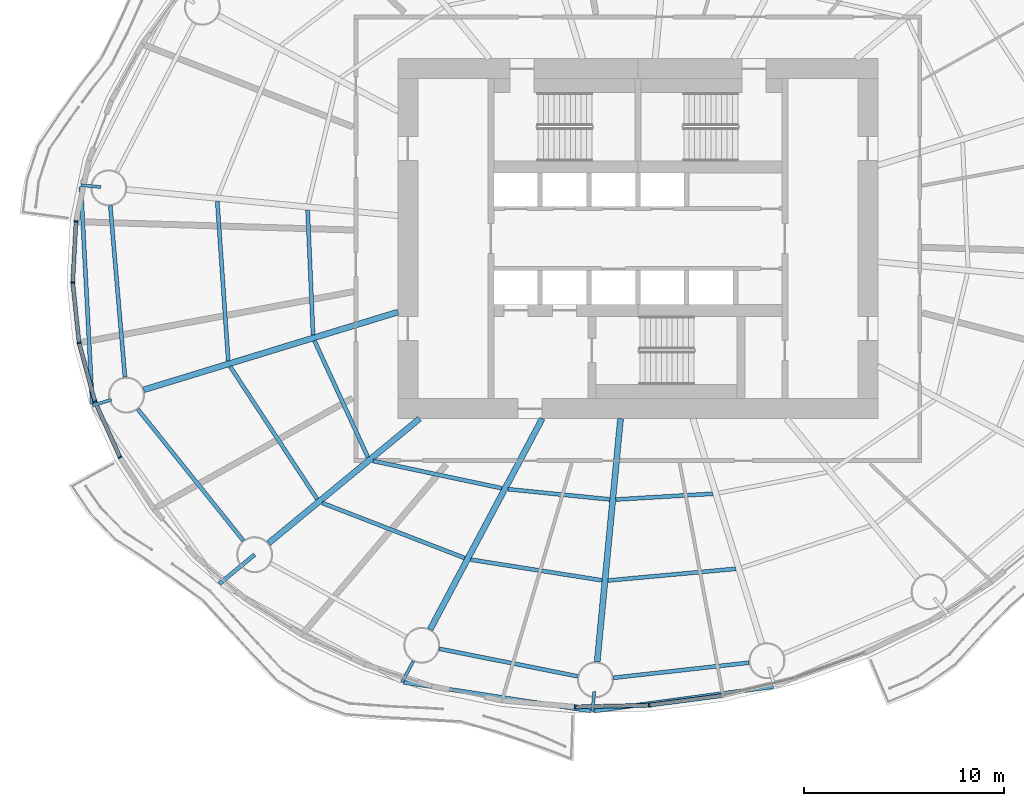
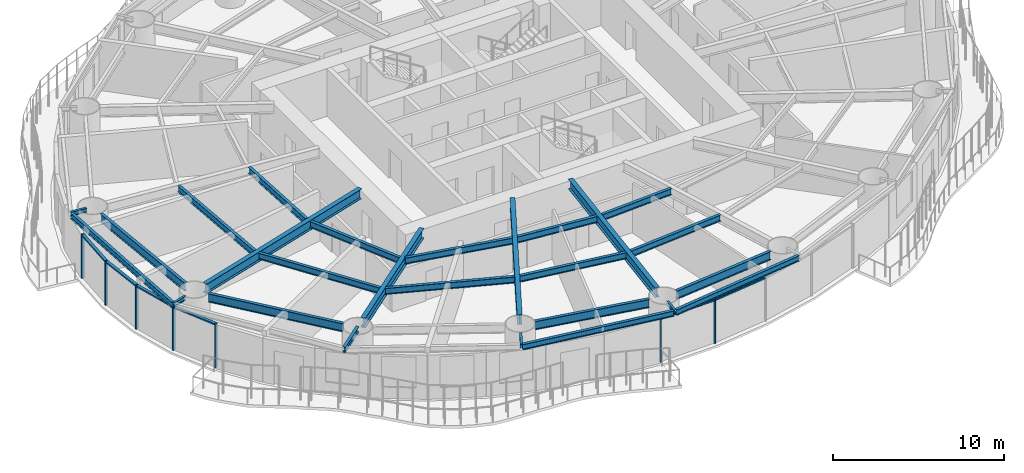
# One storey, part 2 of 17: 26 beams, 13 members, 6 elements without a shape of their own.
"""IFC4 building model written with IfcOpenShell, lengths in metres."""

from ifc_helpers import new_model, si_unit, direction, frame, origin, origin_2d, place, context, subcontext, project, spatial, rectangle, i_section, extrude, material, material_profile, profile_set, type_object, element, aggregate, save


model = new_model("IFC4")

# Units and contexts
model_context = context("Model", 3, precision=1e-05, world=origin(), true_north=direction((0.0, 1.0)))
body_context = subcontext(model_context, "Body", "Model", "MODEL_VIEW")
ifc_project = project(units=[si_unit("LENGTHUNIT", "METRE"), si_unit("AREAUNIT", "SQUARE_METRE"), si_unit("VOLUMEUNIT", "CUBIC_METRE"), si_unit("PLANEANGLEUNIT", "RADIAN"), si_unit("MASSUNIT", "GRAM", prefix="KILO")], contexts=[model_context])

# Site, building, storey
site_placement = place(None, origin())
site = spatial("IfcSite", under=ifc_project, at=site_placement, CompositionType="ELEMENT")
building_placement = place(site_placement, origin())
building = spatial("IfcBuilding", under=site, at=building_placement, Name="Vermilion Reach Broadcast Tower", CompositionType="ELEMENT")
storey_placement = place(building_placement, frame((0.0, 0.0, 76.699951171875)))
storey = spatial("IfcBuildingStorey", under=building, at=storey_placement, Name="L16", CompositionType="ELEMENT", Elevation=76.699951171875)

# Beams
ifc_material_1 = material(Name="Steel S355J2", Category="steel")
ifc_material_profile_1 = material_profile(ifc_material_1, i_section(OverallWidth=0.199951171875, OverallDepth=0.39990234375, WebThickness=0.008056640625, FlangeThickness=0.012939453125, at=origin_2d()), Name="S355J2 HN 400x200x8x13")
ifc_profile_set_1 = profile_set([ifc_material_profile_1], Name="Steel S355J2")
beam_type_1 = type_object("IfcBeamType", Name="EB1 HN 400x200x8x13", PredefinedType="BEAM", material=ifc_profile_set_1)
beam_1_placement = place(storey_placement, frame((-33.853515625, 2.601806640625, 3.35009765625), z_axis=(0.05221391195, -0.998635923347, 0.0), x_axis=(0.998635923347, 0.05221391195, 0.0)))
element("IfcBeam", 1, at=beam_1_placement, inside=storey, type_object=beam_type_1, Name="Edge beam EB1-08", PredefinedType="BEAM", context=body_context, shape_type="SweptSolid", body=[
    extrude(i_section(OverallWidth=0.199951171875, OverallDepth=0.39990234375, WebThickness=0.008056640625, FlangeThickness=0.012939453125, at=origin_2d()), origin(), (0.0, 0.0, 1.0), 10.88525390625),
])
beam_2_placement = place(storey_placement, frame((-17.708984375, -22.1904296875, 3.35009765625), z_axis=(0.988445180224, -0.151578777181, 0.0), x_axis=(0.151578777181, 0.988445180224, 0.0)))
element("IfcBeam", 2, at=beam_2_placement, inside=storey, type_object=beam_type_1, Name="Edge beam EB1-11", PredefinedType="BEAM", context=body_context, shape_type="SweptSolid", body=[
    extrude(i_section(OverallWidth=0.199951171875, OverallDepth=0.39990234375, WebThickness=0.008056640625, FlangeThickness=0.012939453125, at=origin_2d()), origin(), (0.0, 0.0, 1.0), 9.47216796875),
])
beam_3_placement = place(storey_placement, frame((-8.195556640625, -23.627197265625, 3.35009765625), z_axis=(0.990840338484, 0.135038600531, 0.0), x_axis=(-0.135038600531, 0.990840338484, 0.0)))
element("IfcBeam", 3, at=beam_3_placement, inside=storey, type_object=beam_type_1, Name="Edge beam EB1-12", PredefinedType="BEAM", context=body_context, shape_type="SweptSolid", body=[
    extrude(i_section(OverallWidth=0.199951171875, OverallDepth=0.39990234375, WebThickness=0.008056640625, FlangeThickness=0.012939453125, at=origin_2d()), origin(), (0.0, 0.0, 1.0), 9.05419921875),
])
ifc_material_2 = material(Name="Steel S355J2", Category="steel")
ifc_material_profile_2 = material_profile(ifc_material_2, i_section(OverallWidth=0.300048828125, OverallDepth=0.699951171875, WebThickness=0.012939453125, FlangeThickness=0.02392578125, at=origin_2d()), Name="S355J2 HN 700x300x13x24")
ifc_profile_set_2 = profile_set([ifc_material_profile_2], Name="Steel S355J2")
beam_type_2 = type_object("IfcBeamType", Name="G1 HN 700x300x13x24", PredefinedType="BEAM", material=ifc_profile_set_2)
beam_4_placement = place(storey_placement, frame((-18.0, -3.671142578125, 3.199951171875), z_axis=(-0.956255735186, -0.292531996409, 0.0), x_axis=(0.292531996409, -0.956255735186, 0.0)))
element("IfcBeam", 4, at=beam_4_placement, inside=storey, type_object=beam_type_2, Name="Girder G1-09", PredefinedType="BEAM", context=body_context, shape_type="SweptSolid", body=[
    extrude(i_section(OverallWidth=0.300048828125, OverallDepth=0.699951171875, WebThickness=0.012939453125, FlangeThickness=0.02392578125, at=origin_2d()), origin(), (0.0, 0.0, 1.0), 13.29638671875),
])
beam_5_placement = place(storey_placement, frame((-16.9140625, -9.0, 3.199951171875), z_axis=(-0.771514256373, -0.636212034005, 0.0), x_axis=(0.636212034005, -0.771514256373, 0.0)))
element("IfcBeam", 5, at=beam_5_placement, inside=storey, type_object=beam_type_2, Name="Girder G1-10", PredefinedType="BEAM", context=body_context, shape_type="SweptSolid", body=[
    extrude(i_section(OverallWidth=0.300048828125, OverallDepth=0.699951171875, WebThickness=0.012939453125, FlangeThickness=0.02392578125, at=origin_2d()), origin(), (0.0, 0.0, 1.0), 9.796142578125),
])
beam_6_placement = place(storey_placement, frame((-10.783447265625, -9.0, 3.199951171875), z_axis=(-0.469312182262, -0.883032318537, 0.0), x_axis=(0.883032318537, -0.469312182262, 0.0)))
element("IfcBeam", 6, at=beam_6_placement, inside=storey, type_object=beam_type_2, Name="Girder G1-11", PredefinedType="BEAM", context=body_context, shape_type="SweptSolid", body=[
    extrude(i_section(OverallWidth=0.300048828125, OverallDepth=0.699951171875, WebThickness=0.012939453125, FlangeThickness=0.02392578125, at=origin_2d()), origin(), (0.0, 0.0, 1.0), 11.94091796875),
])
beam_7_placement = place(storey_placement, frame((-6.864990234375, -9.0, 3.199951171875), z_axis=(-0.09566673912, -0.995413419151, 0.0), x_axis=(0.995413419151, -0.09566673912, 0.0)))
element("IfcBeam", 7, at=beam_7_placement, inside=storey, type_object=beam_type_2, Name="Girder G1-12", PredefinedType="BEAM", context=body_context, shape_type="SweptSolid", body=[
    extrude(i_section(OverallWidth=0.300048828125, OverallDepth=0.699951171875, WebThickness=0.012939453125, FlangeThickness=0.02392578125, at=origin_2d()), origin(), (0.0, 0.0, 1.0), 12.22412109375),
])
ifc_material_3 = material(Name="Steel S355J2", Category="steel")
ifc_material_profile_3 = material_profile(ifc_material_3, i_section(OverallWidth=0.199951171875, OverallDepth=0.39990234375, WebThickness=0.008056640625, FlangeThickness=0.012939453125, at=origin_2d()), Name="S355J2 HN 400x200x8x13")
ifc_profile_set_3 = profile_set([ifc_material_profile_3], Name="Steel S355J2")
beam_type_3 = type_object("IfcBeamType", Name="GC1 HN 400x200x8x13", PredefinedType="BEAM", material=ifc_profile_set_3)
beam_8_placement = place(storey_placement, frame((-25.166259765625, -15.804931640625, 3.35009765625), z_axis=(-0.77147033335, -0.636265294324, 0.0), x_axis=(0.636265294324, -0.77147033335, 0.0)))
element("IfcBeam", 8, at=beam_8_placement, inside=storey, type_object=beam_type_3, Name="Cantilever girder GC1-10", PredefinedType="BEAM", context=body_context, shape_type="SweptSolid", body=[
    extrude(i_section(OverallWidth=0.199951171875, OverallDepth=0.39990234375, WebThickness=0.008056640625, FlangeThickness=0.012939453125, at=origin_2d()), origin(), (0.0, 0.0, 1.0), 2.2841796875),
])
ifc_material_4 = material(Name="Steel S355J2", Category="steel")
ifc_material_profile_4 = material_profile(ifc_material_4, i_section(OverallWidth=0.14990234375, OverallDepth=0.300048828125, WebThickness=0.006591796875, FlangeThickness=0.009033203125, at=origin_2d()), Name="S355J2 HN 300x150x6.5x9")
ifc_profile_set_4 = profile_set([ifc_material_profile_4], Name="Steel S355J2")
beam_type_4 = type_object("IfcBeamType", Name="GS1 HN 300x150x6.5x9", PredefinedType="BEAM", material=ifc_profile_set_4)
for number, where, z_axis, x_axis, name in (
    (9, (-32.862060546875, 2.581787109375, 3.400146484375), (-0.995409476419, 0.095707754417, 0.0), (-0.095707754417, -0.995409476419, 0.0), "Cantilever stub GS1-08"),
    (10, (-32.32470703125, -8.05322265625, 3.400146484375), (-0.956205533022, -0.292696051594, 0.0), (0.292696051594, -0.956205533022, 0.0), "Cantilever stub GS1-09"),
):
    element("IfcBeam", number, at=place(storey_placement, frame(where, z_axis=z_axis, x_axis=x_axis)), inside=storey, type_object=beam_type_4, Name=name, PredefinedType="BEAM", context=body_context, shape_type="SweptSolid", body=[
        extrude(i_section(OverallWidth=0.14990234375, OverallDepth=0.300048828125, WebThickness=0.006591796875, FlangeThickness=0.009033203125, at=origin_2d()), origin(), (0.0, 0.0, 1.0), 1.0),
    ])
beam_9_placement = place(storey_placement, frame((-17.232177734375, -21.1337890625, 3.400146484375), z_axis=(-0.469441856903, -0.882963387116, 0.0), x_axis=(0.882963387116, -0.469441856903, 0.0)))
element("IfcBeam", 11, at=beam_9_placement, inside=storey, type_object=beam_type_4, Name="Cantilever stub GS1-11", PredefinedType="BEAM", context=body_context, shape_type="SweptSolid", body=[
    extrude(i_section(OverallWidth=0.14990234375, OverallDepth=0.300048828125, WebThickness=0.006591796875, FlangeThickness=0.009033203125, at=origin_2d()), origin(), (0.0, 0.0, 1.0), 1.18310546875),
])
beam_10_placement = place(storey_placement, frame((-8.17626953125, -22.642333984375, 3.400146484375), z_axis=(-0.095707754417, -0.995409476419, 0.0), x_axis=(0.995409476419, -0.095707754417, 0.0)))
element("IfcBeam", 12, at=beam_10_placement, inside=storey, type_object=beam_type_4, Name="Cantilever stub GS1-12", PredefinedType="BEAM", context=body_context, shape_type="SweptSolid", body=[
    extrude(i_section(OverallWidth=0.14990234375, OverallDepth=0.300048828125, WebThickness=0.006591796875, FlangeThickness=0.009033203125, at=origin_2d()), origin(), (0.0, 0.0, 1.0), 1.0),
])
ifc_material_5 = material(Name="Steel S355J2", Category="steel")
ifc_material_profile_5 = material_profile(ifc_material_5, i_section(OverallWidth=0.199951171875, OverallDepth=0.60009765625, WebThickness=0.010986328125, FlangeThickness=0.01708984375, at=origin_2d()), Name="S355J2 HN 600x200x11x17")
ifc_profile_set_5 = profile_set([ifc_material_profile_5], Name="Steel S355J2")
beam_type_5 = type_object("IfcBeamType", Name="RB1 HN 600x200x11x17", PredefinedType="BEAM", material=ifc_profile_set_5)
beam_11_placement = place(storey_placement, frame((-32.38720703125, 1.646728515625, 3.25), z_axis=(0.085395508608, -0.996347131832, 0.0), x_axis=(0.996347131832, 0.085395508608, 0.0)))
element("IfcBeam", 13, at=beam_11_placement, inside=storey, type_object=beam_type_5, Name="Ring beam RB1-08", PredefinedType="BEAM", context=body_context, shape_type="SweptSolid", body=[
    extrude(i_section(OverallWidth=0.199951171875, OverallDepth=0.60009765625, WebThickness=0.010986328125, FlangeThickness=0.01708984375, at=origin_2d()), origin(), (0.0, 0.0, 1.0), 8.60546875),
])
beam_12_placement = place(storey_placement, frame((-31.011962890625, -8.52587890625, 3.25), z_axis=(0.626162157191, -0.779692858055, 0.0), x_axis=(0.779692858055, 0.626162157191, 0.0)))
element("IfcBeam", 14, at=beam_12_placement, inside=storey, type_object=beam_type_5, Name="Ring beam RB1-09", PredefinedType="BEAM", context=body_context, shape_type="SweptSolid", body=[
    extrude(i_section(OverallWidth=0.199951171875, OverallDepth=0.60009765625, WebThickness=0.010986328125, FlangeThickness=0.01708984375, at=origin_2d()), origin(), (0.0, 0.0, 1.0), 8.435791015625),
])
beam_13_placement = place(storey_placement, frame((-15.927001953125, -20.51416015625, 3.25), z_axis=(0.980857717995, -0.194725799651, 0.0), x_axis=(0.194725799651, 0.980857717995, 0.0)))
element("IfcBeam", 15, at=beam_13_placement, inside=storey, type_object=beam_type_5, Name="Ring beam RB1-11", PredefinedType="BEAM", context=body_context, shape_type="SweptSolid", body=[
    extrude(i_section(OverallWidth=0.199951171875, OverallDepth=0.60009765625, WebThickness=0.010986328125, FlangeThickness=0.01708984375, at=origin_2d()), origin(), (0.0, 0.0, 1.0), 7.05859375),
])
beam_14_placement = place(storey_placement, frame((-7.22607421875, -21.964111328125, 3.25), z_axis=(0.993851439324, 0.110721798009, 0.0), x_axis=(-0.110721798009, 0.993851439324, 0.0)))
element("IfcBeam", 16, at=beam_14_placement, inside=storey, type_object=beam_type_5, Name="Ring beam RB1-12", PredefinedType="BEAM", context=body_context, shape_type="SweptSolid", body=[
    extrude(i_section(OverallWidth=0.199951171875, OverallDepth=0.60009765625, WebThickness=0.010986328125, FlangeThickness=0.01708984375, at=origin_2d()), origin(), (0.0, 0.0, 1.0), 6.8310546875),
])
ifc_material_6 = material(Name="Steel S355J2", Category="steel")
ifc_material_profile_6 = material_profile(ifc_material_6, i_section(OverallWidth=0.199951171875, OverallDepth=0.449951171875, WebThickness=0.009033203125, FlangeThickness=0.013916015625, at=origin_2d()), Name="S355J2 HN 450x200x9x14")
ifc_profile_set_6 = profile_set([ifc_material_profile_6], Name="Steel S355J2")
beam_type_6 = type_object("IfcBeamType", Name="SB1 HN 450x200x9x14", PredefinedType="BEAM", material=ifc_profile_set_6)
beam_15_placement = place(storey_placement, frame((-22.51611328125, 1.436767578125, 3.324951171875), z_axis=(0.043361007512, -0.999059469215, 0.0), x_axis=(0.999059469215, 0.043361007512, 0.0)))
element("IfcBeam", 17, at=beam_15_placement, inside=storey, type_object=beam_type_6, Name="Secondary beam SB1-08-1", PredefinedType="BEAM", context=body_context, shape_type="SweptSolid", body=[
    extrude(i_section(OverallWidth=0.199951171875, OverallDepth=0.449951171875, WebThickness=0.009033203125, FlangeThickness=0.013916015625, at=origin_2d()), origin(), (0.0, 0.0, 1.0), 6.25537109375),
])
beam_16_placement = place(storey_placement, frame((-27.03515625, 1.87109375, 3.324951171875), z_axis=(0.068507801475, -0.997650580683, 0.0), x_axis=(0.997650580683, 0.068507801475, 0.0)))
element("IfcBeam", 18, at=beam_16_placement, inside=storey, type_object=beam_type_6, Name="Secondary beam SB1-08-2", PredefinedType="BEAM", context=body_context, shape_type="SweptSolid", body=[
    extrude(i_section(OverallWidth=0.199951171875, OverallDepth=0.449951171875, WebThickness=0.009033203125, FlangeThickness=0.013916015625, at=origin_2d()), origin(), (0.0, 0.0, 1.0), 8.00048828125),
])
beam_17_placement = place(storey_placement, frame((-22.175048828125, -5.105224609375, 3.324951171875), z_axis=(0.417211452529, -0.908809443106, 0.0), x_axis=(0.908809443106, 0.417211452529, 0.0)))
element("IfcBeam", 19, at=beam_17_placement, inside=storey, type_object=beam_type_6, Name="Secondary beam SB1-09-1", PredefinedType="BEAM", context=body_context, shape_type="SweptSolid", body=[
    extrude(i_section(OverallWidth=0.199951171875, OverallDepth=0.449951171875, WebThickness=0.009033203125, FlangeThickness=0.013916015625, at=origin_2d()), origin(), (0.0, 0.0, 1.0), 6.41650390625),
])
beam_18_placement = place(storey_placement, frame((-26.390625, -6.394775390625, 3.324951171875), z_axis=(0.548800909102, -0.835953086105, 0.0), x_axis=(0.835953086105, 0.548800909102, 0.0)))
element("IfcBeam", 20, at=beam_18_placement, inside=storey, type_object=beam_type_6, Name="Secondary beam SB1-09-2", PredefinedType="BEAM", context=body_context, shape_type="SweptSolid", body=[
    extrude(i_section(OverallWidth=0.199951171875, OverallDepth=0.449951171875, WebThickness=0.009033203125, FlangeThickness=0.013916015625, at=origin_2d()), origin(), (0.0, 0.0, 1.0), 7.935791015625),
])
beam_19_placement = place(storey_placement, frame((-19.24560546875, -11.1171875, 3.324951171875), z_axis=(0.978270372412, -0.207333254596, 0.0), x_axis=(0.207333254596, 0.978270372412, 0.0)))
element("IfcBeam", 21, at=beam_19_placement, inside=storey, type_object=beam_type_6, Name="Secondary beam SB1-10-1", PredefinedType="BEAM", context=body_context, shape_type="SweptSolid", body=[
    extrude(i_section(OverallWidth=0.199951171875, OverallDepth=0.449951171875, WebThickness=0.009033203125, FlangeThickness=0.013916015625, at=origin_2d()), origin(), (0.0, 0.0, 1.0), 6.584716796875),
])
beam_20_placement = place(storey_placement, frame((-21.7919921875, -13.217041015625, 3.324951171875), z_axis=(0.932680743753, -0.360702966765, 0.0), x_axis=(0.360702966765, 0.932680743753, 0.0)))
element("IfcBeam", 22, at=beam_20_placement, inside=storey, type_object=beam_type_6, Name="Secondary beam SB1-10-2", PredefinedType="BEAM", context=body_context, shape_type="SweptSolid", body=[
    extrude(i_section(OverallWidth=0.199951171875, OverallDepth=0.449951171875, WebThickness=0.009033203125, FlangeThickness=0.013916015625, at=origin_2d()), origin(), (0.0, 0.0, 1.0), 7.646240234375),
])
beam_21_placement = place(storey_placement, frame((-12.490234375, -12.531005859375, 3.324951171875), z_axis=(0.995010199331, -0.099773259079, 0.0), x_axis=(0.099773259079, 0.995010199331, 0.0)))
element("IfcBeam", 23, at=beam_21_placement, inside=storey, type_object=beam_type_6, Name="Secondary beam SB1-11-1", PredefinedType="BEAM", context=body_context, shape_type="SweptSolid", body=[
    extrude(i_section(OverallWidth=0.199951171875, OverallDepth=0.449951171875, WebThickness=0.009033203125, FlangeThickness=0.013916015625, at=origin_2d()), origin(), (0.0, 0.0, 1.0), 5.111572265625),
])
beam_22_placement = place(storey_placement, frame((-14.36279296875, -16.05419921875, 3.324951171875), z_axis=(0.987829548379, -0.155540294938, 0.0), x_axis=(0.155540294938, 0.987829548379, 0.0)))
element("IfcBeam", 24, at=beam_22_placement, inside=storey, type_object=beam_type_6, Name="Secondary beam SB1-11-2", PredefinedType="BEAM", context=body_context, shape_type="SweptSolid", body=[
    extrude(i_section(OverallWidth=0.199951171875, OverallDepth=0.449951171875, WebThickness=0.009033203125, FlangeThickness=0.013916015625, at=origin_2d()), origin(), (0.0, 0.0, 1.0), 6.650634765625),
])
beam_23_placement = place(storey_placement, frame((-7.103271484375, -13.046875, 3.324951171875), z_axis=(0.99823410974, 0.059402543307, 0.0), x_axis=(-0.059402543307, 0.99823410974, 0.0)))
element("IfcBeam", 25, at=beam_23_placement, inside=storey, type_object=beam_type_6, Name="Secondary beam SB1-12-1", PredefinedType="BEAM", context=body_context, shape_type="SweptSolid", body=[
    extrude(i_section(OverallWidth=0.199951171875, OverallDepth=0.449951171875, WebThickness=0.009033203125, FlangeThickness=0.013916015625, at=origin_2d()), origin(), (0.0, 0.0, 1.0), 4.85791015625),
])
beam_24_placement = place(storey_placement, frame((-7.49267578125, -17.09814453125, 3.324951171875), z_axis=(0.995818616382, 0.091352521952, 0.0), x_axis=(-0.091352521952, 0.995818616382, 0.0)))
element("IfcBeam", 26, at=beam_24_placement, inside=storey, type_object=beam_type_6, Name="Secondary beam SB1-12-2", PredefinedType="BEAM", context=body_context, shape_type="SweptSolid", body=[
    extrude(i_section(OverallWidth=0.199951171875, OverallDepth=0.449951171875, WebThickness=0.009033203125, FlangeThickness=0.013916015625, at=origin_2d()), origin(), (0.0, 0.0, 1.0), 6.4140625),
])

# Curtain wall, member
ifc_material_7 = material(Name="Low-e laminated clear glass in aluminium frame", Category="aluminium")
curtain_wall_type = type_object("IfcCurtainWallType", Name="Slot curtain wall", PredefinedType="NOTDEFINED", material=ifc_material_7)
placement = place(storey_placement, origin())
curtain_wall_1 = element("IfcCurtainWall", 27, at=placement, inside=storey, type_object=curtain_wall_type, Name="Slot curtain wall L16 22", PredefinedType="NOTDEFINED")
ifc_material_8 = material(Name="Anodised aluminium", Category="aluminium")
ifc_material_profile_7 = material_profile(ifc_material_8, rectangle(XDim=0.199951171875, YDim=0.080078125, at=origin_2d()), Name="Slot mullion 80 x 200")
ifc_profile_set_7 = profile_set([ifc_material_profile_7], Name="Anodised aluminium")
member_type_1 = type_object("IfcMemberType", Name="Slot mullion 80 x 200", PredefinedType="MULLION", material=ifc_profile_set_7)
member_1_placement = place(storey_placement, frame((-34.100341796875, 0.864990234375, 0.0), z_axis=(0.0, 0.0, 1.0), x_axis=(0.99141424086, -0.13075856767, 0.0)))
member_1 = element("IfcMember", 28, at=member_1_placement, type_object=member_type_1, Name="Slot mullion L16 22", PredefinedType="MULLION", context=body_context, shape_type="SweptSolid", body=[
    extrude(rectangle(XDim=0.199951171875, YDim=0.080078125, at=origin_2d()), origin(), (0.0, 0.0, 1.0), 3.150146484375),
])

curtain_wall_2 = element("IfcCurtainWall", 29, at=placement, inside=storey, type_object=curtain_wall_type, Name="Slot curtain wall L16 23", PredefinedType="NOTDEFINED")
member_2_placement = place(storey_placement, frame((-34.264892578125, -2.191650390625, 0.0), z_axis=(0.0, 0.0, 1.0), x_axis=(0.999679289273, 0.025324268963, 0.0)))
member_2 = element("IfcMember", 30, at=member_2_placement, type_object=member_type_1, Name="Slot mullion L16 23", PredefinedType="MULLION", context=body_context, shape_type="SweptSolid", body=[
    extrude(rectangle(XDim=0.199951171875, YDim=0.080078125, at=origin_2d()), origin(), (0.0, 0.0, 1.0), 3.150146484375),
])

curtain_wall_3 = element("IfcCurtainWall", 31, at=placement, inside=storey, type_object=curtain_wall_type, Name="Slot curtain wall L16 24", PredefinedType="NOTDEFINED")
member_3_placement = place(storey_placement, frame((-33.948486328125, -5.210205078125, 0.0), z_axis=(0.0, 0.0, 1.0), x_axis=(0.983063525137, 0.183265123648, 0.0)))
member_3 = element("IfcMember", 32, at=member_3_placement, type_object=member_type_1, Name="Slot mullion L16 24", PredefinedType="MULLION", context=body_context, shape_type="SweptSolid", body=[
    extrude(rectangle(XDim=0.199951171875, YDim=0.080078125, at=origin_2d()), origin(), (0.0, 0.0, 1.0), 3.150146484375),
])

# Curtain wall, members
curtain_wall_4 = element("IfcCurtainWall", 33, at=placement, inside=storey, type_object=curtain_wall_type, Name="Slot curtain wall L16 25", PredefinedType="NOTDEFINED")
member_4_placement = place(storey_placement, frame((-33.156005859375, -8.139892578125, 0.0), z_axis=(0.0, 0.0, 1.0), x_axis=(0.941653519483, 0.336583792308, 0.0)))
member_4 = element("IfcMember", 34, at=member_4_placement, type_object=member_type_1, Name="Slot mullion L16 25", PredefinedType="MULLION", context=body_context, shape_type="SweptSolid", body=[
    extrude(rectangle(XDim=0.199951171875, YDim=0.080078125, at=origin_2d()), origin(), (0.0, 0.0, 1.0), 3.150146484375),
])
member_5_placement = place(storey_placement, frame((-31.901123046875, -10.931884765625, 0.0), z_axis=(0.0, 0.0, 1.0), x_axis=(0.877703513206, 0.479204072297, 0.0)))
member_5 = element("IfcMember", 35, at=member_5_placement, type_object=member_type_1, Name="Slot mullion L16 26", PredefinedType="MULLION", context=body_context, shape_type="SweptSolid", body=[
    extrude(rectangle(XDim=0.199951171875, YDim=0.080078125, at=origin_2d()), origin(), (0.0, 0.0, 1.0), 3.150146484375),
])

# Curtain wall, member
curtain_wall_5 = element("IfcCurtainWall", 36, at=placement, inside=storey, type_object=curtain_wall_type, Name="Slot curtain wall L16 34", PredefinedType="NOTDEFINED")
member_6_placement = place(storey_placement, frame((-9.1328125, -23.418212890625, 0.0), z_axis=(0.0, 0.0, 1.0), x_axis=(0.032126111888, 0.999483823248, 0.0)))
member_6 = element("IfcMember", 37, at=member_6_placement, type_object=member_type_1, Name="Slot mullion L16 34", PredefinedType="MULLION", context=body_context, shape_type="SweptSolid", body=[
    extrude(rectangle(XDim=0.199951171875, YDim=0.080078125, at=origin_2d()), origin(), (0.0, 0.0, 1.0), 3.150146484375),
])

curtain_wall_6 = element("IfcCurtainWall", 38, at=placement, inside=storey, type_object=curtain_wall_type, Name="Slot curtain wall L16 35", PredefinedType="NOTDEFINED")
member_7_placement = place(storey_placement, frame((-5.431884765625, -23.333984375, 0.0), z_axis=(0.0, 0.0, 1.0), x_axis=(-0.076615711276, 0.997060696641, 0.0)))
member_7 = element("IfcMember", 39, at=member_7_placement, type_object=member_type_1, Name="Slot mullion L16 35", PredefinedType="MULLION", context=body_context, shape_type="SweptSolid", body=[
    extrude(rectangle(XDim=0.199951171875, YDim=0.080078125, at=origin_2d()), origin(), (0.0, 0.0, 1.0), 3.150146484375),
])

# Member
ifc_material_9 = material(Name="Anodised aluminium", Category="aluminium")
ifc_material_profile_8 = material_profile(ifc_material_9, rectangle(XDim=0.199951171875, YDim=0.10009765625, at=origin_2d()), Name="Slot transom 200 x 100")
ifc_profile_set_8 = profile_set([ifc_material_profile_8], Name="Anodised aluminium")
member_type_2 = type_object("IfcMemberType", Name="Slot transom 200 x 100", PredefinedType="USERDEFINED", material=ifc_profile_set_8)
member_8_placement = place(storey_placement, frame((-34.102294921875, 0.824951171875, 3.10009765625), z_axis=(-0.053805322646, -0.998551444471, 0.0), x_axis=(0.998551444471, -0.053805322646, 0.0)))
member_8 = element("IfcMember", 40, at=member_8_placement, type_object=member_type_2, Name="Slot transom L16 22.1", ObjectType="TRANSOM", PredefinedType="USERDEFINED", context=body_context, shape_type="SweptSolid", body=[
    extrude(rectangle(XDim=0.199951171875, YDim=0.10009765625, at=origin_2d()), origin(), (0.0, 0.0, 1.0), 2.981201171875),
])

aggregate(curtain_wall_1, [member_1, member_8])

member_9_placement = place(storey_placement, frame((-34.2607421875, -2.2314453125, 3.10009765625), z_axis=(0.104263312581, -0.994549728093, 0.0), x_axis=(0.994549728093, 0.104263312581, 0.0)))
member_9 = element("IfcMember", 41, at=member_9_placement, type_object=member_type_2, Name="Slot transom L16 23.1", ObjectType="TRANSOM", PredefinedType="USERDEFINED", context=body_context, shape_type="SweptSolid", body=[
    extrude(rectangle(XDim=0.199951171875, YDim=0.10009765625, at=origin_2d()), origin(), (0.0, 0.0, 1.0), 2.955078125),
])

aggregate(curtain_wall_2, [member_2, member_9])

member_10_placement = place(storey_placement, frame((-33.93798828125, -5.248779296875, 3.10009765625), z_axis=(0.261075496233, -0.965318385439, 0.0), x_axis=(0.965318385439, 0.261075496233, 0.0)))
member_10 = element("IfcMember", 42, at=member_10_placement, type_object=member_type_2, Name="Slot transom L16 24.1", ObjectType="TRANSOM", PredefinedType="USERDEFINED", context=body_context, shape_type="SweptSolid", body=[
    extrude(rectangle(XDim=0.199951171875, YDim=0.10009765625, at=origin_2d()), origin(), (0.0, 0.0, 1.0), 2.955078125),
])

aggregate(curtain_wall_3, [member_3, member_10])

member_11_placement = place(storey_placement, frame((-33.1396484375, -8.176513671875, 3.10009765625), z_axis=(0.409979840833, -0.912094583972, 0.0), x_axis=(0.912094583972, 0.409979840833, 0.0)))
member_11 = element("IfcMember", 43, at=member_11_placement, type_object=member_type_2, Name="Slot transom L16 25.1", ObjectType="TRANSOM", PredefinedType="USERDEFINED", context=body_context, shape_type="SweptSolid", body=[
    extrude(rectangle(XDim=0.199951171875, YDim=0.10009765625, at=origin_2d()), origin(), (0.0, 0.0, 1.0), 2.98095703125),
])

aggregate(curtain_wall_4, [member_4, member_5, member_11])

member_12_placement = place(storey_placement, frame((-9.0927734375, -23.417236328125, 3.10009765625), z_axis=(0.999741939936, 0.022716811662, 0.0), x_axis=(-0.022716811662, 0.999741939936, 0.0)))
member_12 = element("IfcMember", 44, at=member_12_placement, type_object=member_type_2, Name="Slot transom L16 34.1", ObjectType="TRANSOM", PredefinedType="USERDEFINED", context=body_context, shape_type="SweptSolid", body=[
    extrude(rectangle(XDim=0.199951171875, YDim=0.10009765625, at=origin_2d()), origin(), (0.0, 0.0, 1.0), 3.621826171875),
])

aggregate(curtain_wall_5, [member_6, member_12])

member_13_placement = place(storey_placement, frame((-5.392333984375, -23.328857421875, 3.10009765625), z_axis=(0.991478910517, 0.130267302112, 0.0), x_axis=(-0.130267302112, 0.991478910517, 0.0)))
member_13 = element("IfcMember", 45, at=member_13_placement, type_object=member_type_2, Name="Slot transom L16 35.1", ObjectType="TRANSOM", PredefinedType="USERDEFINED", context=body_context, shape_type="SweptSolid", body=[
    extrude(rectangle(XDim=0.199951171875, YDim=0.10009765625, at=origin_2d()), origin(), (0.0, 0.0, 1.0), 3.643310546875),
])

aggregate(curtain_wall_6, [member_7, member_13])

save(model, "model.ifc")
